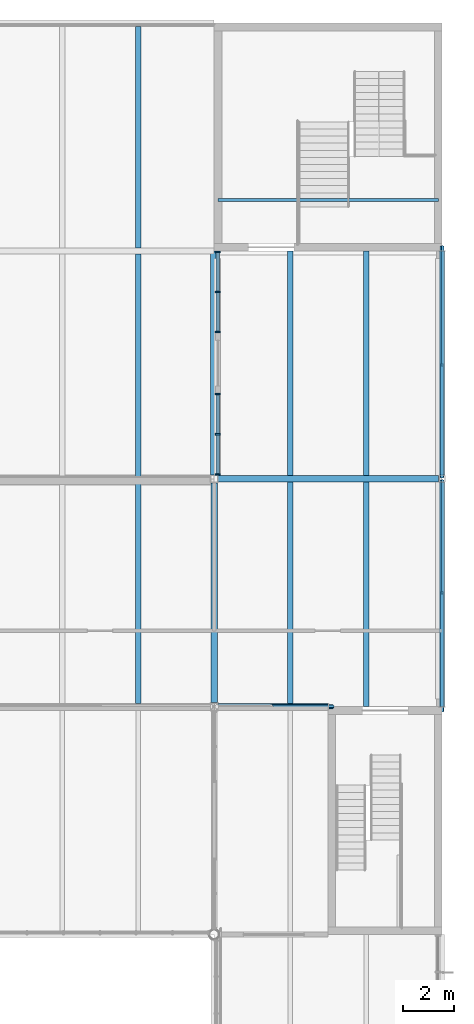
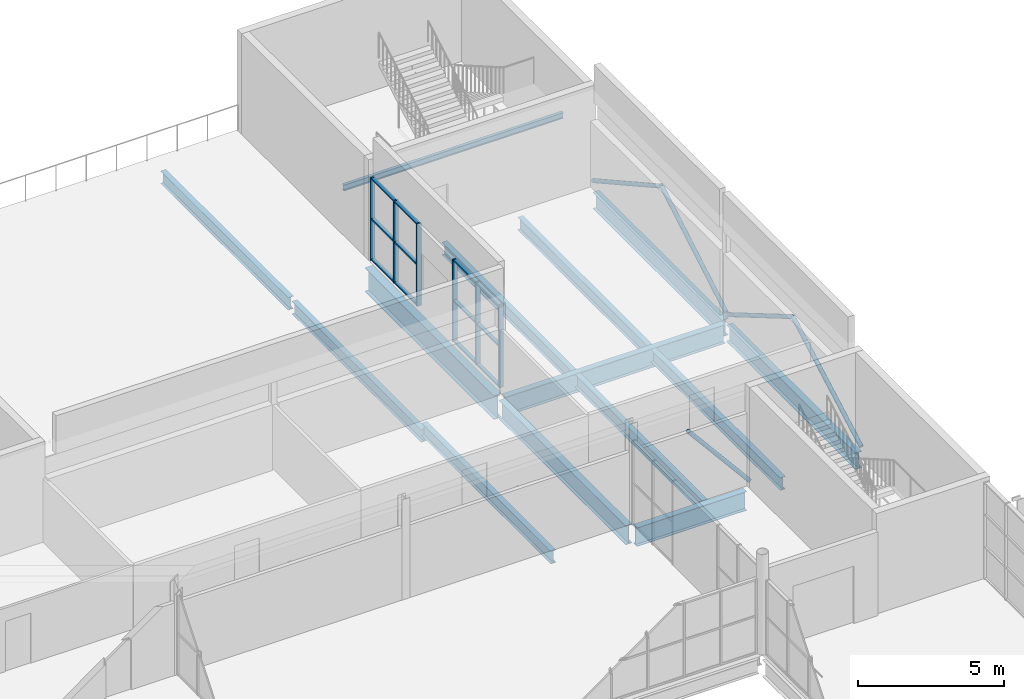
# One storey, part 30 of 61: 23 members, 14 beams, 2 elements without a shape of their own.
"""IFC4 building model written with IfcOpenShell, lengths in metres."""

from ifc_helpers import new_model, si_unit, direction, frame, origin, origin_2d, place, context, subcontext, project, spatial, rectangle, hollow_circle, i_section, extrude, material, layer, layer_set, material_profile, profile_set, type_object, element, aggregate, save


model = new_model("IFC4")

# Units and contexts
model_context = context("Model", 3, precision=1e-05, world=origin(), true_north=direction((0.0, 1.0)))
body_context = subcontext(model_context, "Body", "Model", "MODEL_VIEW")
ifc_project = project(units=[si_unit("LENGTHUNIT", "METRE"), si_unit("AREAUNIT", "SQUARE_METRE"), si_unit("VOLUMEUNIT", "CUBIC_METRE"), si_unit("PLANEANGLEUNIT", "RADIAN"), si_unit("MASSUNIT", "GRAM", prefix="KILO")], contexts=[model_context])

# Site, building, storey
site_placement = place(None, origin())
site = spatial("IfcSite", under=ifc_project, at=site_placement, CompositionType="ELEMENT")
building_placement = place(site_placement, origin())
building = spatial("IfcBuilding", under=site, at=building_placement, Name="Halyard Row Museum", CompositionType="ELEMENT")
storey_placement = place(building_placement, frame((0.0, 0.0, 9.199951171875)))
storey = spatial("IfcBuildingStorey", under=building, at=storey_placement, Name="L02", CompositionType="ELEMENT", Elevation=9.199951171875)

# Members
ifc_material_1 = material(Name="Steel Grade C350L0", Category="steel")
ifc_material_profile_1 = material_profile(ifc_material_1, hollow_circle(Radius=0.084228515625, WallThickness=0.007080078125, at=origin_2d()), Name="168.3x7.1CHS")
ifc_profile_set_1 = profile_set([ifc_material_profile_1], Name="Steel Grade C350L0")
member_type_1 = type_object("IfcMemberType", Name="Brace 168.3x7.1CHS", PredefinedType="BRACE", material=ifc_profile_set_1)
member_1_placement = place(storey_placement, frame((108.0, 35.830078125, 0.084228515625), z_axis=(0.0, 0.873898547232, 0.486108351241), x_axis=(-1.0, 0.0, 0.0)))
element("IfcMember", 1, at=member_1_placement, inside=storey, type_object=member_type_1, Name="Brace L02 X108 36-45 A", PredefinedType="BRACE", context=body_context, shape_type="SweptSolid", body=[
    extrude(hollow_circle(Radius=0.084228515625, WallThickness=0.007080078125, at=origin_2d()), origin(), (0.0, 0.0, 1.0), 5.34375),
])
for number, where, z_axis, x_axis, name in (
    (2, (108.0, 44.925048828125, 0.084228515625), (0.0, -0.862303337552, 0.506392095167), (1.0, 0.0, 0.0), "Brace L02 X108 36-45 B"),
    (3, (108.0, 45.074951171875, 0.084228515625), (0.0, 0.862303337552, 0.506392095167), (-1.0, 0.0, 0.0), "Brace L02 X108 45-54 A"),
):
    element("IfcMember", number, at=place(storey_placement, frame(where, z_axis=z_axis, x_axis=x_axis)), inside=storey, type_object=member_type_1, Name=name, PredefinedType="BRACE", context=body_context, shape_type="SweptSolid", body=[
        extrude(hollow_circle(Radius=0.084228515625, WallThickness=0.007080078125, at=origin_2d()), origin(), (0.0, 0.0, 1.0), 5.131591796875),
    ])
member_2_placement = place(storey_placement, frame((108.0, 54.169921875, 0.084228515625), z_axis=(0.0, -0.873898547232, 0.486108351241), x_axis=(1.0, 0.0, 0.0)))
element("IfcMember", 4, at=member_2_placement, inside=storey, type_object=member_type_1, Name="Brace L02 X108 45-54 B", PredefinedType="BRACE", context=body_context, shape_type="SweptSolid", body=[
    extrude(hollow_circle(Radius=0.084228515625, WallThickness=0.007080078125, at=origin_2d()), origin(), (0.0, 0.0, 1.0), 5.34375),
])
member_3_placement = place(storey_placement, frame((103.669921875, 36.0, 0.084228515625), z_axis=(-0.640387731415, 0.0, 0.768051790866), x_axis=(0.0, -1.0, 0.0)))
element("IfcMember", 5, at=member_3_placement, inside=storey, type_object=member_type_1, Name="Brace L02 Y36 99-103.5 B", PredefinedType="BRACE", context=body_context, shape_type="SweptSolid", body=[
    extrude(hollow_circle(Radius=0.084228515625, WallThickness=0.007080078125, at=origin_2d()), origin(), (0.0, 0.0, 1.0), 3.77880859375),
])

# Curtain wall, members
ifc_material_2 = material(Name="Double glazed unit, low-emissivity", Category="glass")
ifc_layer = layer(ifc_material_2, 0.179931640625)
ifc_layer_set = layer_set([ifc_layer], Name="Double glazed unit, low-emissivity")
curtain_wall_type = type_object("IfcCurtainWallType", Name="Curtain wall stick 180 deep", PredefinedType="NOTDEFINED", material=ifc_layer_set)
curtain_wall_1_placement = place(storey_placement, origin())
curtain_wall_1 = element("IfcCurtainWall", 6, at=curtain_wall_1_placement, inside=storey, type_object=curtain_wall_type, Name="Curtain wall CW033", PredefinedType="NOTDEFINED")
ifc_material_3 = material(Name="Powder-coated aluminium section", Category="aluminium")
ifc_material_profile_2 = material_profile(ifc_material_3, rectangle(XDim=0.179931640625, YDim=0.06005859375, at=origin_2d()), Name="180x60 mullion")
ifc_profile_set_2 = profile_set([ifc_material_profile_2], Name="Powder-coated aluminium section")
member_type_2 = type_object("IfcMemberType", Name="Curtain wall mullion CM2 60 x 180", PredefinedType="MULLION", material=ifc_profile_set_2)
member_4_placement = place(storey_placement, frame((99.139892578125, 53.969970703125, 0.0), z_axis=(0.0, 0.0, 1.0), x_axis=(1.0, 0.0, 0.0)))
member_4 = element("IfcMember", 7, at=member_4_placement, type_object=member_type_2, Name="CW033 mullion 1", PredefinedType="MULLION", context=body_context, shape_type="SweptSolid", body=[
    extrude(rectangle(XDim=0.179931640625, YDim=0.06005859375, at=origin_2d()), origin(), (0.0, 0.0, 1.0), 3.449951171875),
])
member_5_placement = place(storey_placement, frame((99.139892578125, 52.387451171875, 0.0), z_axis=(0.0, 0.0, 1.0), x_axis=(1.0, 0.0, 0.0)))
member_5 = element("IfcMember", 8, at=member_5_placement, type_object=member_type_2, Name="CW033 mullion 2", PredefinedType="MULLION", context=body_context, shape_type="SweptSolid", body=[
    extrude(rectangle(XDim=0.179931640625, YDim=0.06005859375, at=origin_2d()), origin(), (0.0, 0.0, 1.0), 3.449951171875),
])
member_6_placement = place(storey_placement, frame((99.139892578125, 50.804931640625, 0.0), z_axis=(0.0, 0.0, 1.0), x_axis=(1.0, 0.0, 0.0)))
member_6 = element("IfcMember", 9, at=member_6_placement, type_object=member_type_2, Name="CW033 mullion 3", PredefinedType="MULLION", context=body_context, shape_type="SweptSolid", body=[
    extrude(rectangle(XDim=0.179931640625, YDim=0.06005859375, at=origin_2d()), origin(), (0.0, 0.0, 1.0), 3.449951171875),
])

curtain_wall_2_placement = place(storey_placement, origin())
curtain_wall_2 = element("IfcCurtainWall", 10, at=curtain_wall_2_placement, inside=storey, type_object=curtain_wall_type, Name="Curtain wall CW034", PredefinedType="NOTDEFINED")
member_7_placement = place(storey_placement, frame((99.139892578125, 48.344970703125, 0.0), z_axis=(0.0, 0.0, 1.0), x_axis=(1.0, 0.0, 0.0)))
member_7 = element("IfcMember", 11, at=member_7_placement, type_object=member_type_2, Name="CW034 mullion 1", PredefinedType="MULLION", context=body_context, shape_type="SweptSolid", body=[
    extrude(rectangle(XDim=0.179931640625, YDim=0.06005859375, at=origin_2d()), origin(), (0.0, 0.0, 1.0), 3.449951171875),
])
member_8_placement = place(storey_placement, frame((99.139892578125, 46.762451171875, 0.0), z_axis=(0.0, 0.0, 1.0), x_axis=(1.0, 0.0, 0.0)))
member_8 = element("IfcMember", 12, at=member_8_placement, type_object=member_type_2, Name="CW034 mullion 2", PredefinedType="MULLION", context=body_context, shape_type="SweptSolid", body=[
    extrude(rectangle(XDim=0.179931640625, YDim=0.06005859375, at=origin_2d()), origin(), (0.0, 0.0, 1.0), 3.449951171875),
])
member_9_placement = place(storey_placement, frame((99.139892578125, 45.179931640625, 0.0), z_axis=(0.0, 0.0, 1.0), x_axis=(1.0, 0.0, 0.0)))
member_9 = element("IfcMember", 13, at=member_9_placement, type_object=member_type_2, Name="CW034 mullion 3", PredefinedType="MULLION", context=body_context, shape_type="SweptSolid", body=[
    extrude(rectangle(XDim=0.179931640625, YDim=0.06005859375, at=origin_2d()), origin(), (0.0, 0.0, 1.0), 3.449951171875),
])

# Member
ifc_material_4 = material(Name="Powder-coated aluminium section", Category="aluminium")
ifc_material_profile_3 = material_profile(ifc_material_4, rectangle(XDim=0.139892578125, YDim=0.06005859375, at=origin_2d()), Name="140x60 transom")
ifc_profile_set_3 = profile_set([ifc_material_profile_3], Name="Powder-coated aluminium section")
member_type_3 = type_object("IfcMemberType", Name="Curtain wall transom CT2 60 x 140", PredefinedType="USERDEFINED", material=ifc_profile_set_3)
member_10_placement = place(storey_placement, frame((99.139892578125, 53.93994140625, 0.030029296875), z_axis=(0.0, -1.0, 0.0), x_axis=(1.0, 0.0, 0.0)))
member_10 = element("IfcMember", 14, at=member_10_placement, type_object=member_type_3, Name="CW033 transom 1.1", ObjectType="TRANSOM", PredefinedType="USERDEFINED", context=body_context, shape_type="SweptSolid", body=[
    extrude(rectangle(XDim=0.139892578125, YDim=0.06005859375, at=origin_2d()), origin(), (0.0, 0.0, 1.0), 1.5224609375),
])

member_11_placement = place(storey_placement, frame((99.139892578125, 53.93994140625, 1.72509765625), z_axis=(0.0, -1.0, 0.0), x_axis=(1.0, 0.0, 0.0)))
member_11 = element("IfcMember", 15, at=member_11_placement, type_object=member_type_3, Name="CW033 transom 1.2", ObjectType="TRANSOM", PredefinedType="USERDEFINED", context=body_context, shape_type="SweptSolid", body=[
    extrude(rectangle(XDim=0.139892578125, YDim=0.06005859375, at=origin_2d()), origin(), (0.0, 0.0, 1.0), 1.5224609375),
])

member_12_placement = place(storey_placement, frame((99.139892578125, 53.93994140625, 3.420166015625), z_axis=(0.0, -1.0, 0.0), x_axis=(1.0, 0.0, 0.0)))
member_12 = element("IfcMember", 16, at=member_12_placement, type_object=member_type_3, Name="CW033 transom 1.3", ObjectType="TRANSOM", PredefinedType="USERDEFINED", context=body_context, shape_type="SweptSolid", body=[
    extrude(rectangle(XDim=0.139892578125, YDim=0.06005859375, at=origin_2d()), origin(), (0.0, 0.0, 1.0), 1.5224609375),
])

member_13_placement = place(storey_placement, frame((99.139892578125, 52.357421875, 0.030029296875), z_axis=(0.0, -1.0, 0.0), x_axis=(1.0, 0.0, 0.0)))
member_13 = element("IfcMember", 17, at=member_13_placement, type_object=member_type_3, Name="CW033 transom 2.1", ObjectType="TRANSOM", PredefinedType="USERDEFINED", context=body_context, shape_type="SweptSolid", body=[
    extrude(rectangle(XDim=0.139892578125, YDim=0.06005859375, at=origin_2d()), origin(), (0.0, 0.0, 1.0), 1.5224609375),
])

member_14_placement = place(storey_placement, frame((99.139892578125, 52.357421875, 1.72509765625), z_axis=(0.0, -1.0, 0.0), x_axis=(1.0, 0.0, 0.0)))
member_14 = element("IfcMember", 18, at=member_14_placement, type_object=member_type_3, Name="CW033 transom 2.2", ObjectType="TRANSOM", PredefinedType="USERDEFINED", context=body_context, shape_type="SweptSolid", body=[
    extrude(rectangle(XDim=0.139892578125, YDim=0.06005859375, at=origin_2d()), origin(), (0.0, 0.0, 1.0), 1.5224609375),
])

member_15_placement = place(storey_placement, frame((99.139892578125, 52.357421875, 3.420166015625), z_axis=(0.0, -1.0, 0.0), x_axis=(1.0, 0.0, 0.0)))
member_15 = element("IfcMember", 19, at=member_15_placement, type_object=member_type_3, Name="CW033 transom 2.3", ObjectType="TRANSOM", PredefinedType="USERDEFINED", context=body_context, shape_type="SweptSolid", body=[
    extrude(rectangle(XDim=0.139892578125, YDim=0.06005859375, at=origin_2d()), origin(), (0.0, 0.0, 1.0), 1.5224609375),
])

aggregate(curtain_wall_1, [member_4, member_5, member_6, member_10, member_11, member_12, member_13, member_14, member_15])

member_16_placement = place(storey_placement, frame((99.139892578125, 48.31494140625, 0.030029296875), z_axis=(0.0, -1.0, 0.0), x_axis=(1.0, 0.0, 0.0)))
member_16 = element("IfcMember", 20, at=member_16_placement, type_object=member_type_3, Name="CW034 transom 1.1", ObjectType="TRANSOM", PredefinedType="USERDEFINED", context=body_context, shape_type="SweptSolid", body=[
    extrude(rectangle(XDim=0.139892578125, YDim=0.06005859375, at=origin_2d()), origin(), (0.0, 0.0, 1.0), 1.5224609375),
])

member_17_placement = place(storey_placement, frame((99.139892578125, 48.31494140625, 1.72509765625), z_axis=(0.0, -1.0, 0.0), x_axis=(1.0, 0.0, 0.0)))
member_17 = element("IfcMember", 21, at=member_17_placement, type_object=member_type_3, Name="CW034 transom 1.2", ObjectType="TRANSOM", PredefinedType="USERDEFINED", context=body_context, shape_type="SweptSolid", body=[
    extrude(rectangle(XDim=0.139892578125, YDim=0.06005859375, at=origin_2d()), origin(), (0.0, 0.0, 1.0), 1.5224609375),
])

member_18_placement = place(storey_placement, frame((99.139892578125, 48.31494140625, 3.420166015625), z_axis=(0.0, -1.0, 0.0), x_axis=(1.0, 0.0, 0.0)))
member_18 = element("IfcMember", 22, at=member_18_placement, type_object=member_type_3, Name="CW034 transom 1.3", ObjectType="TRANSOM", PredefinedType="USERDEFINED", context=body_context, shape_type="SweptSolid", body=[
    extrude(rectangle(XDim=0.139892578125, YDim=0.06005859375, at=origin_2d()), origin(), (0.0, 0.0, 1.0), 1.5224609375),
])

member_19_placement = place(storey_placement, frame((99.139892578125, 46.732421875, 0.030029296875), z_axis=(0.0, -1.0, 0.0), x_axis=(1.0, 0.0, 0.0)))
member_19 = element("IfcMember", 23, at=member_19_placement, type_object=member_type_3, Name="CW034 transom 2.1", ObjectType="TRANSOM", PredefinedType="USERDEFINED", context=body_context, shape_type="SweptSolid", body=[
    extrude(rectangle(XDim=0.139892578125, YDim=0.06005859375, at=origin_2d()), origin(), (0.0, 0.0, 1.0), 1.5224609375),
])

member_20_placement = place(storey_placement, frame((99.139892578125, 46.732421875, 1.72509765625), z_axis=(0.0, -1.0, 0.0), x_axis=(1.0, 0.0, 0.0)))
member_20 = element("IfcMember", 24, at=member_20_placement, type_object=member_type_3, Name="CW034 transom 2.2", ObjectType="TRANSOM", PredefinedType="USERDEFINED", context=body_context, shape_type="SweptSolid", body=[
    extrude(rectangle(XDim=0.139892578125, YDim=0.06005859375, at=origin_2d()), origin(), (0.0, 0.0, 1.0), 1.5224609375),
])

member_21_placement = place(storey_placement, frame((99.139892578125, 46.732421875, 3.420166015625), z_axis=(0.0, -1.0, 0.0), x_axis=(1.0, 0.0, 0.0)))
member_21 = element("IfcMember", 25, at=member_21_placement, type_object=member_type_3, Name="CW034 transom 2.3", ObjectType="TRANSOM", PredefinedType="USERDEFINED", context=body_context, shape_type="SweptSolid", body=[
    extrude(rectangle(XDim=0.139892578125, YDim=0.06005859375, at=origin_2d()), origin(), (0.0, 0.0, 1.0), 1.5224609375),
])

aggregate(curtain_wall_2, [member_7, member_8, member_9, member_16, member_17, member_18, member_19, member_20, member_21])

# Beams
ifc_material_5 = material(Name="Steel Grade 300", Category="steel")
ifc_material_profile_4 = material_profile(ifc_material_5, i_section(OverallWidth=0.25, OverallDepth=0.699951171875, WebThickness=0.010009765625, FlangeThickness=0.02001953125, at=origin_2d()), Name="700WB130")
ifc_profile_set_4 = profile_set([ifc_material_profile_4], Name="Steel Grade 300")
beam_type_1 = type_object("IfcBeamType", Name="Edge beam 700WB130 (lowered 85)", PredefinedType="BEAM", material=ifc_profile_set_4)
for number, where, z_axis, x_axis, name in (
    (26, (108.0, 36.0, -0.599853515625), (0.0, 1.0, 0.0), (-1.0, 0.0, 0.0), "Beam L02-085"),
    (27, (108.0, 45.14990234375, -0.599853515625), (0.0, 1.0, 0.0), (-1.0, 0.0, 0.0), "Beam L02-086"),
):
    element("IfcBeam", number, at=place(storey_placement, frame(where, z_axis=z_axis, x_axis=x_axis)), inside=storey, type_object=beam_type_1, Name=name, PredefinedType="BEAM", context=body_context, shape_type="SweptSolid", body=[
        extrude(i_section(OverallWidth=0.25, OverallDepth=0.699951171875, WebThickness=0.010009765625, FlangeThickness=0.02001953125, at=origin_2d()), origin(), (0.0, 0.0, 1.0), 8.85009765625),
    ])
ifc_material_6 = material(Name="Steel Grade 300", Category="steel")
ifc_material_profile_5 = material_profile(ifc_material_6, i_section(OverallWidth=0.25, OverallDepth=0.7919921875, WebThickness=0.010009765625, FlangeThickness=0.01611328125, at=origin_2d()), Name="800WB122")
ifc_profile_set_5 = profile_set([ifc_material_profile_5], Name="Steel Grade 300")
beam_type_2 = type_object("IfcBeamType", Name="Girder beam 800WB122 (lowered 85)", PredefinedType="BEAM", material=ifc_profile_set_5)
beam_1_placement = place(storey_placement, frame((99.155517578125, 36.0, -0.64599609375), z_axis=(1.0, 0.0, 0.0), x_axis=(0.0, 1.0, 0.0)))
element("IfcBeam", 28, at=beam_1_placement, inside=storey, type_object=beam_type_2, Name="Beam L02-034", PredefinedType="BEAM", context=body_context, shape_type="SweptSolid", body=[
    extrude(i_section(OverallWidth=0.25, OverallDepth=0.7919921875, WebThickness=0.010009765625, FlangeThickness=0.01611328125, at=origin_2d()), origin(), (0.0, 0.0, 1.0), 4.344482421875),
])
beam_2_placement = place(storey_placement, frame((99.152587890625, 45.0, -0.64599609375), z_axis=(1.0, 0.0, 0.0), x_axis=(0.0, 1.0, 0.0)))
element("IfcBeam", 29, at=beam_2_placement, inside=storey, type_object=beam_type_2, Name="Beam L02-040", PredefinedType="BEAM", context=body_context, shape_type="SweptSolid", body=[
    extrude(i_section(OverallWidth=0.25, OverallDepth=0.7919921875, WebThickness=0.010009765625, FlangeThickness=0.01611328125, at=origin_2d()), origin(), (0.0, 0.0, 1.0), 8.697509765625),
])
beam_3_placement = place(storey_placement, frame((99.0, 36.16357421875, -0.64599609375), z_axis=(0.0, 1.0, 0.0), x_axis=(-1.0, 0.0, 0.0)))
element("IfcBeam", 30, at=beam_3_placement, inside=storey, type_object=beam_type_2, Name="Beam L02-081", PredefinedType="BEAM", context=body_context, shape_type="SweptSolid", body=[
    extrude(i_section(OverallWidth=0.25, OverallDepth=0.7919921875, WebThickness=0.010009765625, FlangeThickness=0.01611328125, at=origin_2d()), origin(), (0.0, 0.0, 1.0), 8.682373046875),
])
ifc_material_7 = material(Name="Steel Grade 300", Category="steel")
ifc_material_profile_6 = material_profile(ifc_material_7, i_section(OverallWidth=0.1240234375, OverallDepth=0.248046875, WebThickness=0.0048828125, FlangeThickness=0.008056640625, FilletRadius=0.011962890625, at=origin_2d()), Name="250UB25.7")
ifc_profile_set_6 = profile_set([ifc_material_profile_6], Name="Steel Grade 300")
beam_type_3 = type_object("IfcBeamType", Name="Landing trimmer 250UB25.7", PredefinedType="BEAM", material=ifc_profile_set_6)
beam_4_placement = place(storey_placement, frame((107.85009765625, 56.02001953125, 1.776123046875), z_axis=(-1.0, 0.0, 0.0), x_axis=(0.0, -1.0, 0.0)))
element("IfcBeam", 31, at=beam_4_placement, inside=storey, type_object=beam_type_3, Name="Landing trimmer K5B L02 1", PredefinedType="BEAM", context=body_context, shape_type="SweptSolid", body=[
    extrude(i_section(OverallWidth=0.1240234375, OverallDepth=0.248046875, WebThickness=0.0048828125, FlangeThickness=0.008056640625, FilletRadius=0.011962890625, at=origin_2d()), origin(), (0.0, 0.0, 1.0), 8.7001953125),
])
ifc_material_8 = material(Name="Steel Grade 300", Category="steel")
ifc_material_profile_7 = material_profile(ifc_material_8, i_section(OverallWidth=0.208984375, OverallDepth=0.5283203125, WebThickness=0.009521484375, FlangeThickness=0.01318359375, FilletRadius=0.013916015625, at=origin_2d()), Name="530UB82.0")
ifc_profile_set_7 = profile_set([ifc_material_profile_7], Name="Steel Grade 300")
beam_type_4 = type_object("IfcBeamType", Name="Secondary beam 530UB82.0 (lowered 385)", PredefinedType="BEAM", material=ifc_profile_set_7)
beam_5_placement = place(storey_placement, frame((96.0, 45.008056640625, -0.81396484375), z_axis=(0.0, 1.0, 0.0), x_axis=(-1.0, 0.0, 0.0)))
element("IfcBeam", 32, at=beam_5_placement, inside=storey, type_object=beam_type_4, Name="Beam L02-154", PredefinedType="BEAM", context=body_context, shape_type="SweptSolid", body=[
    extrude(i_section(OverallWidth=0.208984375, OverallDepth=0.5283203125, WebThickness=0.009521484375, FlangeThickness=0.01318359375, FilletRadius=0.013916015625, at=origin_2d()), origin(), (0.0, 0.0, 1.0), 8.866943359375),
])
beam_6_placement = place(storey_placement, frame((96.0, 54.125, -0.81396484375), z_axis=(0.0, 1.0, 0.0), x_axis=(-1.0, 0.0, 0.0)))
element("IfcBeam", 33, at=beam_6_placement, inside=storey, type_object=beam_type_4, Name="Beam L02-160", PredefinedType="BEAM", context=body_context, shape_type="SweptSolid", body=[
    extrude(i_section(OverallWidth=0.208984375, OverallDepth=0.5283203125, WebThickness=0.009521484375, FlangeThickness=0.01318359375, FilletRadius=0.013916015625, at=origin_2d()), origin(), (0.0, 0.0, 1.0), 8.75),
])
ifc_material_9 = material(Name="Steel Grade 300", Category="steel")
ifc_material_profile_8 = material_profile(ifc_material_9, i_section(OverallWidth=0.208984375, OverallDepth=0.5283203125, WebThickness=0.009521484375, FlangeThickness=0.01318359375, FilletRadius=0.013916015625, at=origin_2d()), Name="530UB82.0")
ifc_profile_set_8 = profile_set([ifc_material_profile_8], Name="Steel Grade 300")
beam_type_5 = type_object("IfcBeamType", Name="Secondary beam 530UB82.0 (lowered 85)", PredefinedType="BEAM", material=ifc_profile_set_8)
beam_7_placement = place(storey_placement, frame((105.0, 36.0, -0.51416015625), z_axis=(0.0, 1.0, 0.0), x_axis=(-1.0, 0.0, 0.0)))
element("IfcBeam", 34, at=beam_7_placement, inside=storey, type_object=beam_type_5, Name="Beam L02-134", PredefinedType="BEAM", context=body_context, shape_type="SweptSolid", body=[
    extrude(i_section(OverallWidth=0.208984375, OverallDepth=0.5283203125, WebThickness=0.009521484375, FlangeThickness=0.01318359375, FilletRadius=0.013916015625, at=origin_2d()), origin(), (0.0, 0.0, 1.0), 8.875),
])
beam_8_placement = place(storey_placement, frame((96.0, 36.125, -0.51416015625), z_axis=(0.0, 1.0, 0.0), x_axis=(-1.0, 0.0, 0.0)))
element("IfcBeam", 35, at=beam_8_placement, inside=storey, type_object=beam_type_5, Name="Beam L02-149", PredefinedType="BEAM", context=body_context, shape_type="SweptSolid", body=[
    extrude(i_section(OverallWidth=0.208984375, OverallDepth=0.5283203125, WebThickness=0.009521484375, FlangeThickness=0.01318359375, FilletRadius=0.013916015625, at=origin_2d()), origin(), (0.0, 0.0, 1.0), 8.866943359375),
])
beam_9_placement = place(storey_placement, frame((102.0, 36.125, -0.51416015625), z_axis=(0.0, 1.0, 0.0), x_axis=(-1.0, 0.0, 0.0)))
element("IfcBeam", 36, at=beam_9_placement, inside=storey, type_object=beam_type_5, Name="Beam L02-150", PredefinedType="BEAM", context=body_context, shape_type="SweptSolid", body=[
    extrude(i_section(OverallWidth=0.208984375, OverallDepth=0.5283203125, WebThickness=0.009521484375, FlangeThickness=0.01318359375, FilletRadius=0.013916015625, at=origin_2d()), origin(), (0.0, 0.0, 1.0), 8.75),
])
for number, where, z_axis, x_axis, name in (
    (37, (102.0, 45.125, -0.51416015625), (0.0, 1.0, 0.0), (-1.0, 0.0, 0.0), "Beam L02-155"),
    (38, (105.0, 45.125, -0.51416015625), (0.0, 1.0, 0.0), (-1.0, 0.0, 0.0), "Beam L02-156"),
):
    element("IfcBeam", number, at=place(storey_placement, frame(where, z_axis=z_axis, x_axis=x_axis)), inside=storey, type_object=beam_type_5, Name=name, PredefinedType="BEAM", context=body_context, shape_type="SweptSolid", body=[
        extrude(i_section(OverallWidth=0.208984375, OverallDepth=0.5283203125, WebThickness=0.009521484375, FlangeThickness=0.01318359375, FilletRadius=0.013916015625, at=origin_2d()), origin(), (0.0, 0.0, 1.0), 8.875),
    ])
ifc_material_10 = material(Name="Steel Grade 300", Category="steel")
ifc_material_profile_9 = material_profile(ifc_material_10, i_section(OverallWidth=0.300048828125, OverallDepth=1.0, WebThickness=0.01611328125, FlangeThickness=0.02001953125, at=origin_2d()), Name="1000WB215")
ifc_profile_set_9 = profile_set([ifc_material_profile_9], Name="Steel Grade 300")
beam_type_6 = type_object("IfcBeamType", Name="Stepped beam 1000WB215 (lowered 85)", PredefinedType="BEAM", material=ifc_profile_set_9)
beam_10_placement = place(storey_placement, frame((99.0, 45.154052734375, -0.75), z_axis=(0.0, 1.0, 0.0), x_axis=(-1.0, 0.0, 0.0)))
element("IfcBeam", 39, at=beam_10_placement, inside=storey, type_object=beam_type_6, Name="Beam L02-082", PredefinedType="BEAM", context=body_context, shape_type="SweptSolid", body=[
    extrude(i_section(OverallWidth=0.300048828125, OverallDepth=1.0, WebThickness=0.01611328125, FlangeThickness=0.02001953125, at=origin_2d()), origin(), (0.0, 0.0, 1.0), 8.845947265625),
])

save(model, "model.ifc")
